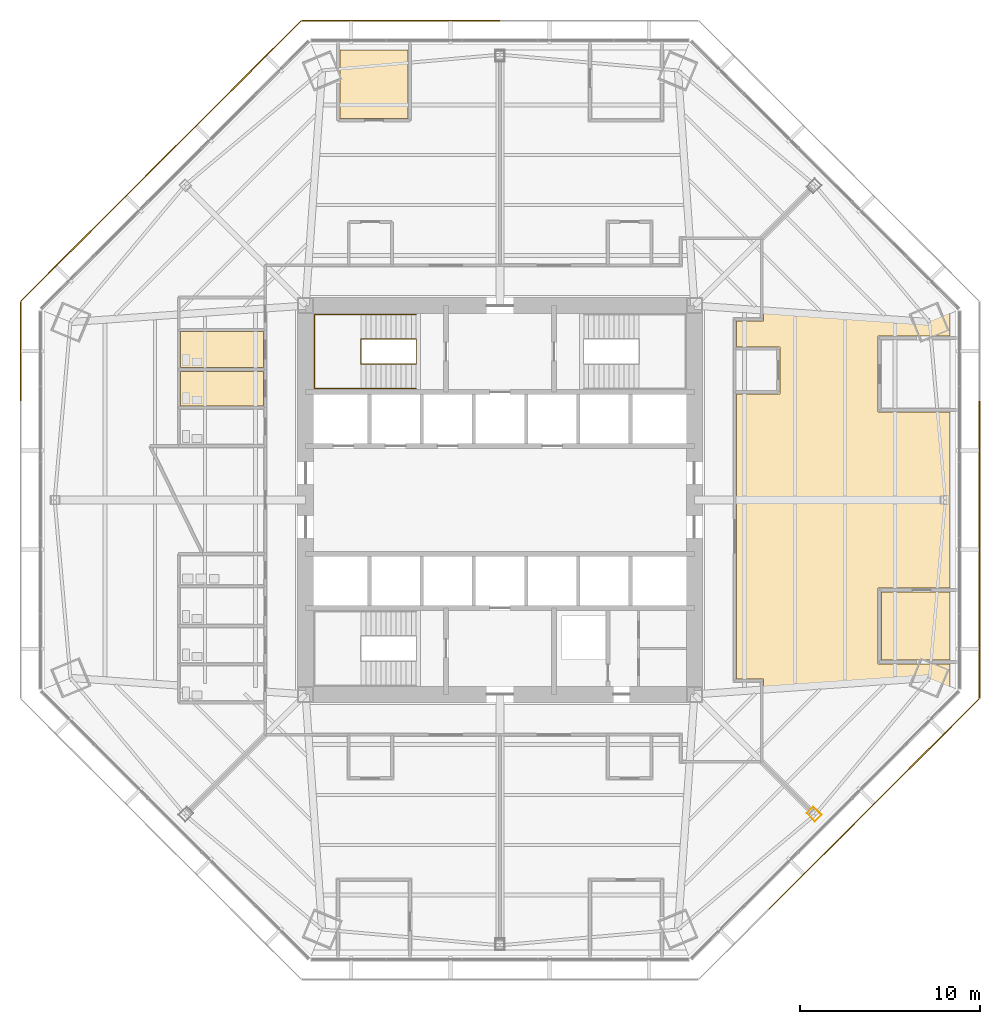
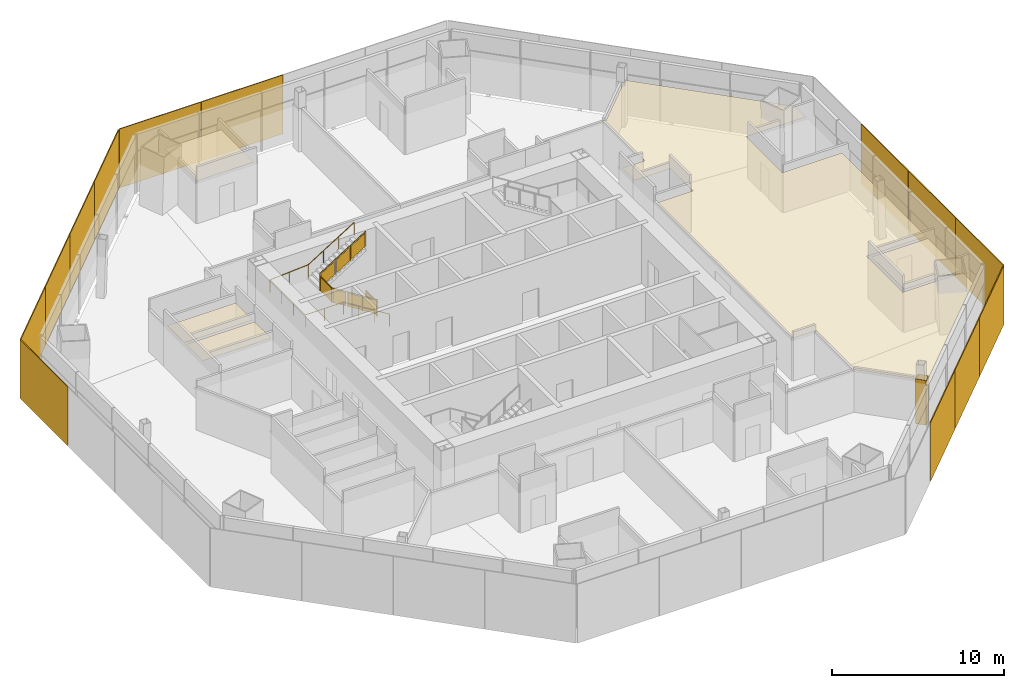
# One storey, part 15 of 17: 13 shading devices, 6 coverings, 2 railings.
"""IFC4 building model written with IfcOpenShell, lengths in metres."""

from ifc_helpers import new_model, si_unit, direction, frame, origin, origin_2d, place, context, subcontext, project, spatial, polyline, rectangle, circle, outline, extrude, source, transform, mapped, material, layer, layer_set, type_object, type_shapes, element, save


model = new_model("IFC4")

# Units and contexts
model_context = context("Model", 3, precision=1e-05, world=origin(), true_north=direction((0.0, 1.0)))
body_context = subcontext(model_context, "Body", "Model", "MODEL_VIEW")
ifc_project = project(units=[si_unit("LENGTHUNIT", "METRE"), si_unit("AREAUNIT", "SQUARE_METRE"), si_unit("VOLUMEUNIT", "CUBIC_METRE"), si_unit("PLANEANGLEUNIT", "RADIAN"), si_unit("MASSUNIT", "GRAM", prefix="KILO")], contexts=[model_context])

# Site, building, storey
site_placement = place(None, origin())
site = spatial("IfcSite", under=ifc_project, at=site_placement, CompositionType="ELEMENT")
building_placement = place(site_placement, origin())
building = spatial("IfcBuilding", under=site, at=building_placement, Name="Mashrafa Tower", CompositionType="ELEMENT")
storey_placement = place(building_placement, frame((0.0, 0.0, 87.60009765625)))
storey = spatial("IfcBuildingStorey", under=building, at=storey_placement, Name="L19", CompositionType="ELEMENT", Elevation=87.60009765625)

# Covering
ifc_material_1 = material(Name="Gypsum board")
ifc_layer_1 = layer(ifc_material_1, 0.014892578125)
ifc_layer_set_1 = layer_set([ifc_layer_1], Name="Column casing plasterboard 15")
covering_type_1 = type_object("IfcCoveringType", Name="Column casing plasterboard 15", PredefinedType="CLADDING", material=ifc_layer_set_1)
covering_1_placement = place(storey_placement, origin())
element("IfcCovering", 1, at=covering_1_placement, inside=storey, type_object=covering_type_1, Name="Column casing L19-005", PredefinedType="CLADDING", context=body_context, shape_type="SweptSolid", body=[
    extrude(outline(polyline([(17.03271484375, -17.407470703125), (17.407470703125, -17.03271484375), (17.8662109375, -17.491455078125), (17.491455078125, -17.8662109375), (17.03271484375, -17.407470703125)]), holes=[polyline([(17.84521484375, -17.491455078125), (17.407470703125, -17.0537109375), (17.0537109375, -17.407470703125), (17.491455078125, -17.84521484375), (17.84521484375, -17.491455078125)])]), origin(), (0.0, 0.0, 1.0), 3.17919921875),
])

# Railings
ifc_material_2 = material(Name="Steel guard with glass infill", Category="steel")
railing_type_1 = type_object("IfcRailingType", Name="Stair guard 1100", PredefinedType="GUARDRAIL", material=ifc_material_2)
railing_1_placement = place(storey_placement, frame((-4.64990234375, 8.949951171875, 0.0)))
element("IfcRailing", 2, at=railing_1_placement, inside=storey, type_object=railing_type_1, Name="Stair S1 guard L19", PredefinedType="GUARDRAIL", context=body_context, shape_type="SweptSolid", body=[
    extrude(circle(Radius=0.02392578125, at=origin_2d()), frame((0.0, 0.0, 1.076171875), z_axis=(0.0, -1.0, 0.0), x_axis=(1.0, 0.0, 0.0)), (0.0, 0.0, 1.0), 1.39990234375),
    extrude(circle(Radius=0.02392578125, at=origin_2d()), frame((0.0, -1.39990234375, 1.076171875), z_axis=(0.0, 0.0, 1.0), x_axis=(1.0, 0.0, 0.0)), (0.0, 0.0, 1.0), 0.1748046875),
    extrude(circle(Radius=0.02392578125, at=origin_2d()), frame((0.0, -1.39990234375, 1.2509765625), z_axis=(-0.847998304005, 0.0, 0.529998940003), x_axis=(0.0, -1.0, 0.0)), (0.0, 0.0, 1.0), 3.632080078125),
    extrude(circle(Radius=0.02392578125, at=origin_2d()), frame((-3.080078125, -1.39990234375, 3.17578125), z_axis=(0.0, 1.0, 0.0), x_axis=(-1.0, 0.0, 0.0)), (0.0, 0.0, 1.0), 1.39990234375),
    extrude(circle(Radius=0.02392578125, at=origin_2d()), frame((-3.080078125, 0.0, 3.17578125), z_axis=(0.0, 0.0, 1.0), x_axis=(1.0, 0.0, 0.0)), (0.0, 0.0, 1.0), 0.175048828125),
    extrude(circle(Radius=0.02392578125, at=origin_2d()), frame((-3.080078125, 0.0, 3.35107421875), z_axis=(0.847998304005, 0.0, 0.529998940003), x_axis=(0.0, 1.0, 0.0)), (0.0, 0.0, 1.0), 3.632080078125),
    extrude(circle(Radius=0.02099609375, at=origin_2d()), origin(), (0.0, 0.0, 1.0), 1.052001953125),
    extrude(circle(Radius=0.02099609375, at=origin_2d()), frame((0.0, -1.39990234375, 0.0)), (0.0, 0.0, 1.0), 1.052001953125),
    extrude(circle(Radius=0.02099609375, at=origin_2d()), frame((0.0, -1.39990234375, 0.1748046875)), (0.0, 0.0, 1.0), 1.052001953125),
    extrude(circle(Radius=0.02099609375, at=origin_2d()), frame((-1.026611328125, -1.39990234375, 0.81640625)), (0.0, 0.0, 1.0), 1.052001953125),
    extrude(circle(Radius=0.02099609375, at=origin_2d()), frame((-2.053466796875, -1.39990234375, 1.458251953125)), (0.0, 0.0, 1.0), 1.052001953125),
    extrude(circle(Radius=0.02099609375, at=origin_2d()), frame((-3.080078125, -1.39990234375, 2.099853515625)), (0.0, 0.0, 1.0), 1.052001953125),
    extrude(circle(Radius=0.02099609375, at=origin_2d()), frame((-3.080078125, 0.0, 2.099853515625)), (0.0, 0.0, 1.0), 1.052001953125),
    extrude(circle(Radius=0.02099609375, at=origin_2d()), frame((-3.080078125, 0.0, 2.27490234375)), (0.0, 0.0, 1.0), 1.052001953125),
    extrude(circle(Radius=0.02099609375, at=origin_2d()), frame((-2.053466796875, 0.0, 2.91650390625)), (0.0, 0.0, 1.0), 1.052001953125),
    extrude(circle(Radius=0.02099609375, at=origin_2d()), frame((-1.026611328125, 0.0, 3.558349609375)), (0.0, 0.0, 1.0), 1.052001953125),
    extrude(circle(Radius=0.02099609375, at=origin_2d()), frame((0.0, 0.0, 4.199951171875)), (0.0, 0.0, 1.0), 1.052001953125),
    extrude(outline(polyline([(0.071044921875, 0.050048828125), (1.328857421875, 0.050048828125), (1.328857421875, 1.001953125), (0.071044921875, 1.001953125), (0.071044921875, 0.050048828125)])), frame((-0.006103515625, 0.0, 0.0), z_axis=(-1.0, 0.0, 0.0), x_axis=(0.0, -1.0, 0.0)), (0.0, 0.0, 1.0), 0.011962890625),
    extrude(outline(polyline([(0.071044921875, 0.094482421875), (0.955810546875, 0.647216796875), (0.955810546875, 1.599365234375), (0.071044921875, 1.04638671875), (0.071044921875, 0.094482421875)])), frame((0.0, -1.393798828125, 0.1748046875), z_axis=(0.0, 1.0, 0.0), x_axis=(-1.0, 0.0, 0.0)), (0.0, 0.0, 1.0), 0.011962890625),
    extrude(outline(polyline([(1.09765625, 0.736083984375), (1.982421875, 1.2890625), (1.982421875, 2.240966796875), (1.09765625, 1.68798828125), (1.09765625, 0.736083984375)])), frame((0.0, -1.393798828125, 0.1748046875), z_axis=(0.0, 1.0, 0.0), x_axis=(-1.0, 0.0, 0.0)), (0.0, 0.0, 1.0), 0.011962890625),
    extrude(outline(polyline([(2.124267578125, 1.377685546875), (3.009033203125, 1.9306640625), (3.009033203125, 2.882568359375), (2.124267578125, 2.329833984375), (2.124267578125, 1.377685546875)])), frame((0.0, -1.393798828125, 0.1748046875), z_axis=(0.0, 1.0, 0.0), x_axis=(-1.0, 0.0, 0.0)), (0.0, 0.0, 1.0), 0.011962890625),
    extrude(outline(polyline([(0.071044921875, 0.050048828125), (1.328857421875, 0.050048828125), (1.328857421875, 1.001953125), (0.071044921875, 1.001953125), (0.071044921875, 0.050048828125)])), frame((-3.073974609375, -1.39990234375, 2.099853515625), z_axis=(1.0, 0.0, 0.0), x_axis=(0.0, 1.0, 0.0)), (0.0, 0.0, 1.0), 0.011962890625),
    extrude(outline(polyline([(0.071044921875, 0.094482421875), (0.955810546875, 0.647216796875), (0.955810546875, 1.599365234375), (0.071044921875, 1.04638671875), (0.071044921875, 0.094482421875)])), frame((-3.080078125, -0.006103515625, 2.27490234375), z_axis=(0.0, -1.0, 0.0), x_axis=(1.0, 0.0, 0.0)), (0.0, 0.0, 1.0), 0.011962890625),
    extrude(outline(polyline([(1.09765625, 0.736083984375), (1.982421875, 1.2890625), (1.982421875, 2.240966796875), (1.09765625, 1.68798828125), (1.09765625, 0.736083984375)])), frame((-3.080078125, -0.006103515625, 2.27490234375), z_axis=(0.0, -1.0, 0.0), x_axis=(1.0, 0.0, 0.0)), (0.0, 0.0, 1.0), 0.011962890625),
    extrude(outline(polyline([(2.124267578125, 1.377685546875), (3.009033203125, 1.9306640625), (3.009033203125, 2.882568359375), (2.124267578125, 2.329833984375), (2.124267578125, 1.377685546875)])), frame((-3.080078125, -0.006103515625, 2.27490234375), z_axis=(0.0, -1.0, 0.0), x_axis=(1.0, 0.0, 0.0)), (0.0, 0.0, 1.0), 0.011962890625),
])
ifc_material_3 = material(Name="Steel", Category="steel")
railing_type_2 = type_object("IfcRailingType", Name="Stair handrail 900", PredefinedType="HANDRAIL", material=ifc_material_3)
railing_2_placement = place(storey_placement, frame((-4.64990234375, 6.199951171875, 0.1748046875)))
element("IfcRailing", 3, at=railing_2_placement, inside=storey, type_object=railing_type_2, Name="Stair S1 handrail L19", PredefinedType="HANDRAIL", context=body_context, shape_type="SweptSolid", body=[
    extrude(circle(Radius=0.02392578125, at=origin_2d()), frame((0.0, 0.0, 0.8759765625), z_axis=(-0.847998304005, 0.0, 0.529998940003), x_axis=(0.0, -1.0, 0.0)), (0.0, 0.0, 1.0), 3.632080078125),
    extrude(circle(Radius=0.02392578125, at=origin_2d()), frame((-3.080078125, 0.0, 2.80078125), z_axis=(-1.0, 0.0, 0.0), x_axis=(0.0, -1.0, 0.0)), (0.0, 0.0, 1.0), 2.570068359375),
    extrude(circle(Radius=0.02392578125, at=origin_2d()), frame((-5.650146484375, 0.0, 2.80078125), z_axis=(0.0, 1.0, 0.0), x_axis=(-1.0, 0.0, 0.0)), (0.0, 0.0, 1.0), 4.10009765625),
    extrude(circle(Radius=0.02392578125, at=origin_2d()), frame((-5.650146484375, 4.10009765625, 2.80078125), z_axis=(0.997688514158, 0.0, 0.067953136188), x_axis=(0.0, 1.0, 0.0)), (0.0, 0.0, 1.0), 2.575927734375),
    extrude(circle(Radius=0.02392578125, at=origin_2d()), frame((-3.080078125, 4.10009765625, 2.97607421875), z_axis=(0.847998304005, 0.0, 0.529998940003), x_axis=(0.0, 1.0, 0.0)), (0.0, 0.0, 1.0), 3.632080078125),
    extrude(circle(Radius=0.02099609375, at=origin_2d()), origin(), (0.0, 0.0, 1.0), 0.851806640625),
    extrude(circle(Radius=0.02099609375, at=origin_2d()), frame((-1.026611328125, 0.0, 0.6416015625)), (0.0, 0.0, 1.0), 0.851806640625),
    extrude(circle(Radius=0.02099609375, at=origin_2d()), frame((-2.053466796875, 0.0, 1.283447265625)), (0.0, 0.0, 1.0), 0.851806640625),
    extrude(circle(Radius=0.02099609375, at=origin_2d()), frame((-3.080078125, 0.0, 1.925048828125)), (0.0, 0.0, 1.0), 0.851806640625),
    extrude(circle(Radius=0.02099609375, at=origin_2d()), frame((-4.365234375, 0.0, 1.925048828125)), (0.0, 0.0, 1.0), 0.851806640625),
    extrude(circle(Radius=0.02099609375, at=origin_2d()), frame((-5.650146484375, 0.0, 1.925048828125)), (0.0, 0.0, 1.0), 0.851806640625),
    extrude(circle(Radius=0.02099609375, at=origin_2d()), frame((-5.650146484375, 1.36669921875, 1.925048828125)), (0.0, 0.0, 1.0), 0.851806640625),
    extrude(circle(Radius=0.02099609375, at=origin_2d()), frame((-5.650146484375, 2.7333984375, 1.925048828125)), (0.0, 0.0, 1.0), 0.851806640625),
    extrude(circle(Radius=0.02099609375, at=origin_2d()), frame((-5.650146484375, 4.10009765625, 1.925048828125)), (0.0, 0.0, 1.0), 0.851806640625),
    extrude(circle(Radius=0.02099609375, at=origin_2d()), frame((-4.365234375, 4.10009765625, 2.0126953125)), (0.0, 0.0, 1.0), 0.851806640625),
    extrude(circle(Radius=0.02099609375, at=origin_2d()), frame((-3.080078125, 4.10009765625, 2.10009765625)), (0.0, 0.0, 1.0), 0.851806640625),
    extrude(circle(Radius=0.02099609375, at=origin_2d()), frame((-2.053466796875, 4.10009765625, 2.74169921875)), (0.0, 0.0, 1.0), 0.851806640625),
    extrude(circle(Radius=0.02099609375, at=origin_2d()), frame((-1.026611328125, 4.10009765625, 3.383544921875)), (0.0, 0.0, 1.0), 0.851806640625),
    extrude(circle(Radius=0.02099609375, at=origin_2d()), frame((0.0, 4.10009765625, 4.025146484375)), (0.0, 0.0, 1.0), 0.851806640625),
])

# Coverings
ifc_material_4 = material(Name="Mineral fibre tile on suspension grid")
ifc_layer_2 = layer(ifc_material_4, 0.014892578125)
ifc_layer_set_2 = layer_set([ifc_layer_2], Name="Suspended ceiling mineral tile 15")
covering_type_2 = type_object("IfcCoveringType", Name="Suspended ceiling mineral tile 15", PredefinedType="CEILING", material=ifc_layer_set_2)
covering_2_placement = place(storey_placement, frame((0.0, 0.0, 2.89990234375)))
element("IfcCovering", 4, at=covering_2_placement, inside=storey, type_object=covering_type_2, Name="Ceiling WC Male L19 N", PredefinedType="CEILING", context=body_context, shape_type="SweptSolid", body=[
    extrude(outline(polyline([(-17.75, 5.22509765625), (-17.75, 7.14990234375), (-13.14990234375, 7.14990234375), (-13.14990234375, 5.22509765625), (-17.75, 5.22509765625)])), origin(), (0.0, 0.0, 1.0), 0.014892578125),
])
covering_3_placement = place(storey_placement, frame((0.0, 0.0, 2.89990234375)))
element("IfcCovering", 5, at=covering_3_placement, inside=storey, type_object=covering_type_2, Name="Ceiling Accessible WC L19 N", PredefinedType="CEILING", context=body_context, shape_type="SweptSolid", body=[
    extrude(outline(polyline([(-17.75, 7.35009765625), (-17.75, 9.35009765625), (-13.14990234375, 9.35009765625), (-13.14990234375, 7.35009765625), (-17.75, 7.35009765625)])), origin(), (0.0, 0.0, 1.0), 0.014892578125),
])
covering_4_placement = place(storey_placement, frame((0.0, 0.0, 2.89990234375)))
element("IfcCovering", 6, at=covering_4_placement, inside=storey, type_object=covering_type_2, Name="Ceiling Manager's Office 19-NW", PredefinedType="CEILING", context=body_context, shape_type="SweptSolid", body=[
    extrude(outline(polyline([(-8.89990234375, 24.986572265625), (-5.10009765625, 24.986572265625), (-5.10009765625, 21.1865234375), (-8.89990234375, 21.1865234375), (-8.89990234375, 24.986572265625)])), origin(), (0.0, 0.0, 1.0), 0.014892578125),
])
covering_5_placement = place(storey_placement, frame((0.0, 0.0, 2.89990234375)))
element("IfcCovering", 7, at=covering_5_placement, inside=storey, type_object=covering_type_2, Name="Ceiling Manager's Office 19-E", PredefinedType="CEILING", context=body_context, shape_type="SweptSolid", body=[
    extrude(outline(polyline([(21.1865234375, -5.10009765625), (24.986572265625, -5.10009765625), (24.986572265625, -8.89990234375), (21.1865234375, -8.89990234375), (21.1865234375, -5.10009765625)])), origin(), (0.0, 0.0, 1.0), 0.014892578125),
])
covering_6_placement = place(storey_placement, frame((0.0, 0.0, 2.89990234375)))
element("IfcCovering", 8, at=covering_6_placement, inside=storey, type_object=covering_type_2, Name="Ceiling Office Suite 19-E", PredefinedType="CEILING", context=body_context, shape_type="SweptSolid", body=[
    extrude(outline(polyline([(14.64990234375, 14.508544921875), (17.739013671875, 17.597412109375), (24.986572265625, 10.349853515625), (24.986572265625, 9.10009765625), (20.986572265625, 9.10009765625), (20.986572265625, 4.89990234375), (24.986572265625, 4.89990234375), (24.986572265625, -4.89990234375), (20.986572265625, -4.89990234375), (20.986572265625, -9.10009765625), (24.986572265625, -9.10009765625), (24.986572265625, -10.349853515625), (17.739013671875, -17.597412109375), (14.64990234375, -14.508544921875), (14.64990234375, -9.949951171875), (13.14990234375, -9.949951171875), (13.14990234375, 5.89990234375), (15.550048828125, 5.89990234375), (15.550048828125, 8.5), (13.14990234375, 8.5), (13.14990234375, 9.949951171875), (14.64990234375, 9.949951171875), (14.64990234375, 14.508544921875)])), origin(), (0.0, 0.0, 1.0), 0.014892578125),
])

# Shading devices
ifc_material_5 = material(Name="Perforated aluminium plate, eight-point star pattern", Category="aluminium")
ifc_layer_3 = layer(ifc_material_5, 0.06005859375)
ifc_layer_set_3 = layer_set([ifc_layer_3], Name="Mashrabiya screen panel office zone 1, 45 percent open")
shading_device_type = type_object("IfcShadingDeviceType", Name="Mashrabiya screen panel office zone 1, 45 percent open", PredefinedType="SHUTTER", material=ifc_layer_set_3)
shared_shape = source(origin(), body_context, "Body", "SweptSolid", [
    extrude(rectangle(XDim=5.4853515625, YDim=0.06005859375, at=origin_2d()), origin(), (0.0, 0.0, 1.0), 4.179931640625),
])
type_shapes(shading_device_type, [shared_shape])
for number, where, z_axis, x_axis, name in (
    (9, (26.63671875, -8.258056640625, -0.14990234375), (0.0, 0.0, 1.0), (0.0, 1.0, 0.0), "Mashrabiya screen L19 east 1"),
    (10, (26.63671875, -2.752685546875, -0.14990234375), (0.0, 0.0, 1.0), (0.0, 1.0, 0.0), "Mashrabiya screen L19 east 2"),
    (11, (26.63671875, 2.752685546875, -0.14990234375), (0.0, 0.0, 1.0), (0.0, 1.0, 0.0), "Mashrabiya screen L19 east 3"),
    (12, (-2.752685546875, 26.63671875, -0.14990234375), (0.0, 0.0, 1.0), (-1.0, 0.0, 0.0), "Mashrabiya screen L19 north 3"),
    (13, (-8.258056640625, 26.63671875, -0.14990234375), (0.0, 0.0, 1.0), (-1.0, 0.0, 0.0), "Mashrabiya screen L19 north 4"),
    (14, (-12.99560546875, 24.67431640625, -0.14990234375), (0.0, 0.0, 1.0), (-0.707106781187, -0.707106781187, 0.0), "Mashrabiya screen L19 north-west 1"),
    (15, (-16.888427734375, 20.781494140625, -0.14990234375), (0.0, 0.0, 1.0), (-0.707106781187, -0.707106781187, 0.0), "Mashrabiya screen L19 north-west 2"),
    (16, (-20.781494140625, 16.888427734375, -0.14990234375), (0.0, 0.0, 1.0), (-0.707106781187, -0.707106781187, 0.0), "Mashrabiya screen L19 north-west 3"),
    (17, (-24.67431640625, 12.99560546875, -0.14990234375), (0.0, 0.0, 1.0), (-0.707106781187, -0.707106781187, 0.0), "Mashrabiya screen L19 north-west 4"),
    (18, (-26.63671875, 8.258056640625, -0.14990234375), (0.0, 0.0, 1.0), (0.0, -1.0, 0.0), "Mashrabiya screen L19 west 1"),
    (19, (16.888427734375, -20.781494140625, -0.14990234375), (0.0, 0.0, 1.0), (0.707106781187, 0.707106781187, 0.0), "Mashrabiya screen L19 south-east 2"),
    (20, (20.781494140625, -16.888427734375, -0.14990234375), (0.0, 0.0, 1.0), (0.707106781187, 0.707106781187, 0.0), "Mashrabiya screen L19 south-east 3"),
    (21, (24.67431640625, -12.99560546875, -0.14990234375), (0.0, 0.0, 1.0), (0.707106781187, 0.707106781187, 0.0), "Mashrabiya screen L19 south-east 4"),
):
    element("IfcShadingDevice", number, at=place(storey_placement, frame(where, z_axis=z_axis, x_axis=x_axis)), inside=storey, type_object=shading_device_type, Name=name, PredefinedType="SHUTTER", context=body_context, shape_type="MappedRepresentation", body=[
        mapped(shared_shape, transform((0.0, 0.0, 0.0))),
    ])

save(model, "model.ifc")
